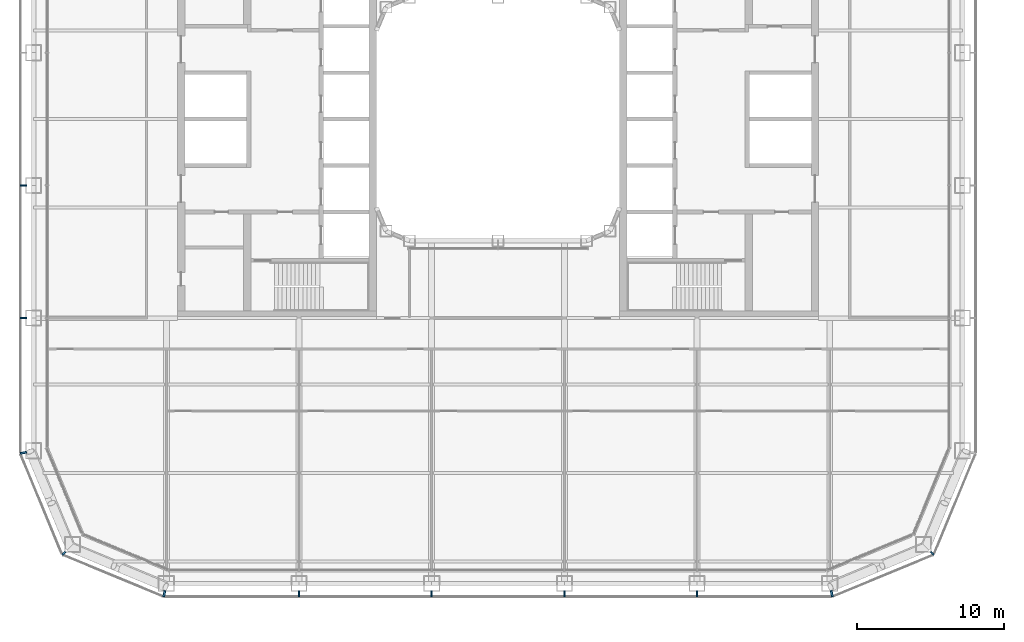
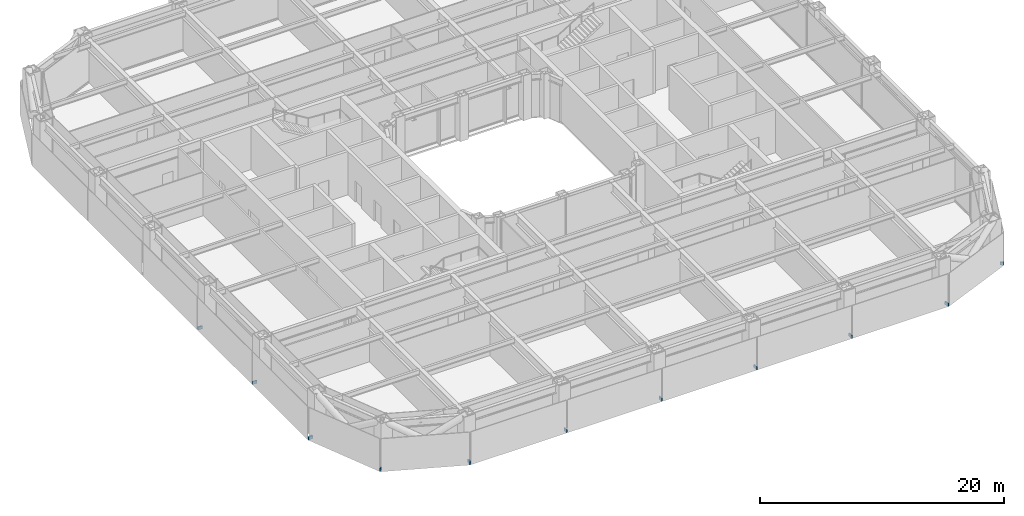
# One storey, part 18 of 30: 11 discrete accessories.
"""IFC4 building model written with IfcOpenShell, lengths in metres."""

from ifc_helpers import new_model, si_unit, direction, frame, origin, origin_2d, place, context, subcontext, project, spatial, rectangle, extrude, material, type_object, element, save


model = new_model("IFC4")

# Units and contexts
model_context = context("Model", 3, precision=1e-05, world=origin(), true_north=direction((0.0, 1.0)))
body_context = subcontext(model_context, "Body", "Model", "MODEL_VIEW")
ifc_project = project(units=[si_unit("LENGTHUNIT", "METRE"), si_unit("AREAUNIT", "SQUARE_METRE"), si_unit("VOLUMEUNIT", "CUBIC_METRE"), si_unit("PLANEANGLEUNIT", "RADIAN"), si_unit("MASSUNIT", "GRAM", prefix="KILO")], contexts=[model_context])

# Site, building, storey
site_placement = place(None, origin())
site = spatial("IfcSite", under=ifc_project, at=site_placement, CompositionType="ELEMENT")
building_placement = place(site_placement, origin())
building = spatial("IfcBuilding", under=site, at=building_placement, Name="Siwar Civic Tower", CompositionType="ELEMENT")
storey_placement = place(building_placement, frame((0.0, 0.0, 26.699951171875)))
storey = spatial("IfcBuildingStorey", under=building, at=storey_placement, Name="L05", CompositionType="ELEMENT", Elevation=26.699951171875)

# Discrete accessories
ifc_material = material(Name="Stainless steel 316", Category="steel")
discrete_accessory_type = type_object("IfcDiscreteAccessoryType", Name="ENV-BRACKET", PredefinedType="BRACKET", material=ifc_material)
for number, where, z_axis, x_axis, name in (
    (1, (-13.5, -32.18994140625, -0.14990234375), (0.0, 0.0, 1.0), (0.0, -1.0, 0.0), "Bracket outer skin joint S-01"),
    (2, (-4.5, -32.18994140625, -0.14990234375), (0.0, 0.0, 1.0), (0.0, -1.0, 0.0), "Bracket outer skin joint S-02"),
    (3, (4.5, -32.18994140625, -0.14990234375), (0.0, 0.0, 1.0), (0.0, -1.0, 0.0), "Bracket outer skin joint S-03"),
    (4, (13.5, -32.18994140625, -0.14990234375), (0.0, 0.0, 1.0), (0.0, -1.0, 0.0), "Bracket outer skin joint S-04"),
):
    element("IfcDiscreteAccessory", number, at=place(storey_placement, frame(where, z_axis=z_axis, x_axis=x_axis)), inside=storey, type_object=discrete_accessory_type, Name=name, PredefinedType="BRACKET", context=body_context, shape_type="SweptSolid", body=[
        extrude(rectangle(XDim=0.419921875, YDim=0.10009765625, at=origin_2d()), origin(), (0.0, 0.0, 1.0), 0.300048828125),
    ])
for number, where, z_axis, x_axis, name in (
    (5, (-22.63720703125, -32.190185546875, -0.14990234375), (0.0, 0.0, 1.0), (-0.195090322016, -0.980785280403, 0.0), "Bracket outer skin joint V00"),
    (6, (22.63720703125, -32.190185546875, -0.14990234375), (0.0, 0.0, 1.0), (0.195090322016, -0.980785280403, 0.0), "Bracket outer skin joint V01"),
):
    element("IfcDiscreteAccessory", number, at=place(storey_placement, frame(where, z_axis=z_axis, x_axis=x_axis)), inside=storey, type_object=discrete_accessory_type, Name=name, PredefinedType="BRACKET", context=body_context, shape_type="SweptSolid", body=[
        extrude(rectangle(XDim=0.427734375, YDim=0.13720703125, at=origin_2d()), origin(), (0.0, 0.0, 1.0), 0.300048828125),
    ])
discrete_accessory_1_placement = place(storey_placement, frame((29.451416015625, -29.451416015625, -0.14990234375), z_axis=(0.0, 0.0, 1.0), x_axis=(0.707106781187, -0.707106781187, 0.0)))
element("IfcDiscreteAccessory", 7, at=discrete_accessory_1_placement, inside=storey, type_object=discrete_accessory_type, Name="Bracket outer skin joint V02", PredefinedType="BRACKET", context=body_context, shape_type="SweptSolid", body=[
    extrude(rectangle(XDim=0.287109375, YDim=0.12939453125, at=origin_2d()), origin(), (0.0, 0.0, 1.0), 0.300048828125),
])
discrete_accessory_2_placement = place(storey_placement, frame((-32.190185546875, -22.63720703125, -0.14990234375), z_axis=(0.0, 0.0, 1.0), x_axis=(-0.980785280403, -0.195090322016, 0.0)))
element("IfcDiscreteAccessory", 8, at=discrete_accessory_2_placement, inside=storey, type_object=discrete_accessory_type, Name="Bracket outer skin joint V10", PredefinedType="BRACKET", context=body_context, shape_type="SweptSolid", body=[
    extrude(rectangle(XDim=0.427734375, YDim=0.13720703125, at=origin_2d()), origin(), (0.0, 0.0, 1.0), 0.300048828125),
])
discrete_accessory_3_placement = place(storey_placement, frame((-29.451416015625, -29.451416015625, -0.14990234375), z_axis=(0.0, 0.0, 1.0), x_axis=(-0.707106781187, -0.707106781187, 0.0)))
element("IfcDiscreteAccessory", 9, at=discrete_accessory_3_placement, inside=storey, type_object=discrete_accessory_type, Name="Bracket outer skin joint V11", PredefinedType="BRACKET", context=body_context, shape_type="SweptSolid", body=[
    extrude(rectangle(XDim=0.287109375, YDim=0.12939453125, at=origin_2d()), origin(), (0.0, 0.0, 1.0), 0.300048828125),
])
for number, where, z_axis, x_axis, name in (
    (10, (-32.18994140625, -4.5, -0.14990234375), (0.0, 0.0, 1.0), (-1.0, 0.0, 0.0), "Bracket outer skin joint W-03"),
    (11, (-32.18994140625, -13.5, -0.14990234375), (0.0, 0.0, 1.0), (-1.0, 0.0, 0.0), "Bracket outer skin joint W-04"),
):
    element("IfcDiscreteAccessory", number, at=place(storey_placement, frame(where, z_axis=z_axis, x_axis=x_axis)), inside=storey, type_object=discrete_accessory_type, Name=name, PredefinedType="BRACKET", context=body_context, shape_type="SweptSolid", body=[
        extrude(rectangle(XDim=0.419921875, YDim=0.10009765625, at=origin_2d()), origin(), (0.0, 0.0, 1.0), 0.300048828125),
    ])

save(model, "model.ifc")
